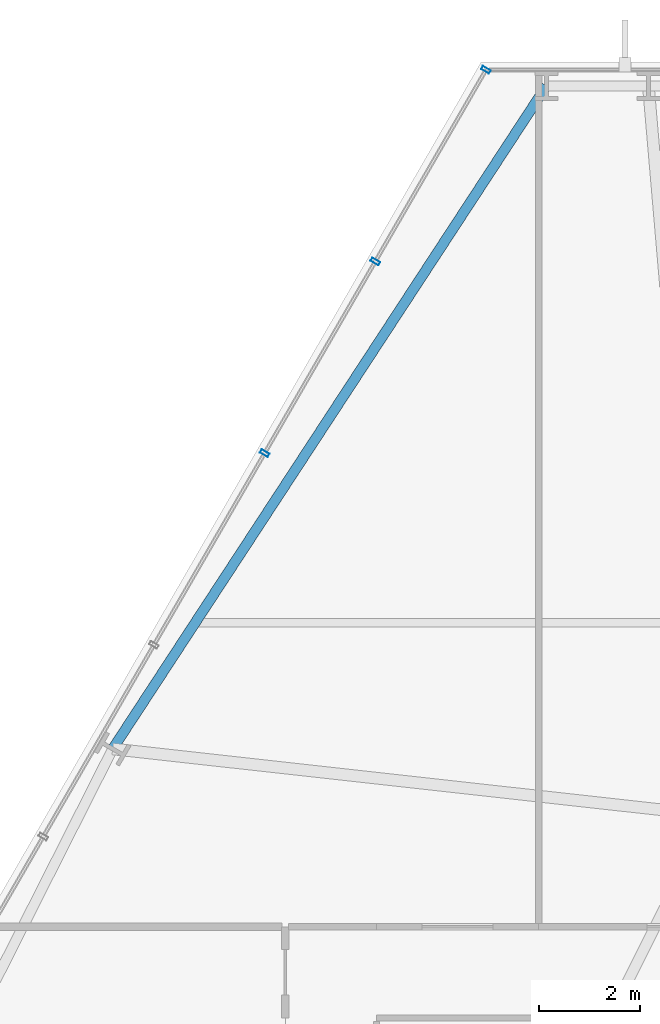
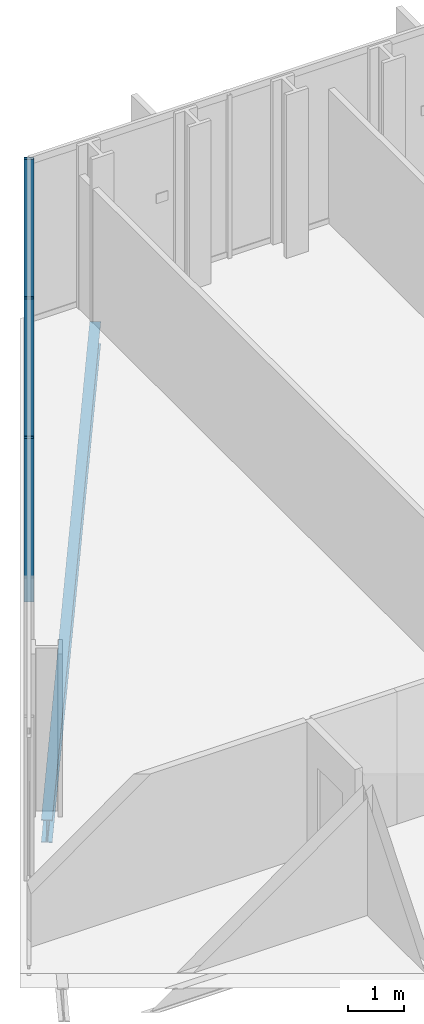
# One storey, part 20 of 33: 3 members, 1 beam, 1 element without a shape of its own.
"""IFC4 building model written with IfcOpenShell, lengths in metres."""

from ifc_helpers import new_model, si_unit, direction, frame, origin, origin_2d, place, context, subcontext, project, spatial, hollow_rectangle, i_section, extrude, material, layer, layer_set, material_profile, profile_set, type_object, element, aggregate, save


model = new_model("IFC4")

# Units and contexts
model_context = context("Model", 3, precision=1e-05, world=origin(), true_north=direction((0.0, 1.0)))
body_context = subcontext(model_context, "Body", "Model", "MODEL_VIEW")
ifc_project = project(units=[si_unit("LENGTHUNIT", "METRE"), si_unit("AREAUNIT", "SQUARE_METRE"), si_unit("VOLUMEUNIT", "CUBIC_METRE"), si_unit("PLANEANGLEUNIT", "RADIAN"), si_unit("MASSUNIT", "GRAM", prefix="KILO")], contexts=[model_context])

# Site, building, storey
site_placement = place(None, origin())
site = spatial("IfcSite", under=ifc_project, at=site_placement, CompositionType="ELEMENT")
building_placement = place(site_placement, origin())
building = spatial("IfcBuilding", under=site, at=building_placement, Name="Ndaravel Arena Tower", CompositionType="ELEMENT")
storey_placement = place(building_placement, frame((0.0, 0.0, 39.800048828125)))
storey = spatial("IfcBuildingStorey", under=building, at=storey_placement, Name="L07", CompositionType="ELEMENT", Elevation=39.800048828125)

# Beam
ifc_material_1 = material(Name="Steel S355", Category="steel")
ifc_material_profile_1 = material_profile(ifc_material_1, i_section(OverallWidth=0.199951171875, OverallDepth=0.5, WebThickness=0.01025390625, FlangeThickness=0.01611328125, FilletRadius=0.02099609375, at=origin_2d()), Name="IPE 500")
ifc_profile_set_1 = profile_set([ifc_material_profile_1], Name="Steel S355")
beam_type = type_object("IfcBeamType", Name="BM-SPAN-IPE500", PredefinedType="SPANDREL", material=ifc_profile_set_1)
beam_placement = place(storey_placement, frame((34.95263671875, 45.590087890625, -0.469970703125), z_axis=(-0.547517816718, -0.83679402506, 0.0), x_axis=(0.83679402506, -0.547517816718, 0.0)))
element("IfcBeam", 1, at=beam_placement, inside=storey, type_object=beam_type, Name="L07 Perimeter Spandrel Beam SP-18", PredefinedType="SPANDREL", context=body_context, shape_type="SweptSolid", body=[
    extrude(i_section(OverallWidth=0.199951171875, OverallDepth=0.5, WebThickness=0.01025390625, FlangeThickness=0.01611328125, FilletRadius=0.02099609375, at=origin_2d()), origin(), (0.0, 0.0, 1.0), 15.631103515625),
])

# Curtain wall, members
ifc_material_2 = material(Name="Aluminium", Category="aluminium")
ifc_layer = layer(ifc_material_2, 0.179931640625)
ifc_layer_set = layer_set([ifc_layer], Name="Aluminium")
curtain_wall_type = type_object("IfcCurtainWallType", Name="CW-SYS-03", PredefinedType="NOTDEFINED", material=ifc_layer_set)
curtain_wall_placement = place(storey_placement, origin())
curtain_wall = element("IfcCurtainWall", 2, at=curtain_wall_placement, inside=storey, type_object=curtain_wall_type, Name="L07 Faceted Crystal Curtain Wall CW-L07-E05", PredefinedType="NOTDEFINED")
ifc_material_3 = material(Name="Aluminium", Category="aluminium")
ifc_material_profile_2 = material_profile(ifc_material_3, hollow_rectangle(XDim=0.074951171875, YDim=0.179931640625, WallThickness=0.00390625, at=origin_2d()), Name="CW MULLION 75x180x4")
ifc_profile_set_2 = profile_set([ifc_material_profile_2], Name="Aluminium")
member_type = type_object("IfcMemberType", Name="MEM-CW-MUL180", PredefinedType="MULLION", material=ifc_profile_set_2)
member_1_placement = place(storey_placement, frame((33.76123046875, 45.909912109375, 0.0), z_axis=(0.0, 0.0, 1.0), x_axis=(-0.5, -0.866025403784, 0.0)))
member_1 = element("IfcMember", 3, at=member_1_placement, type_object=member_type, Name="CW-L07-E05 Mullion 00", PredefinedType="MULLION", context=body_context, shape_type="SweptSolid", body=[
    extrude(hollow_rectangle(XDim=0.074951171875, YDim=0.179931640625, WallThickness=0.00390625, at=origin_2d()), origin(), (0.0, 0.0, 1.0), 3.579833984375),
])
member_2_placement = place(storey_placement, frame((31.5771484375, 42.127197265625, 0.0), z_axis=(0.0, 0.0, 1.0), x_axis=(-0.5, -0.866025403784, 0.0)))
member_2 = element("IfcMember", 4, at=member_2_placement, type_object=member_type, Name="CW-L07-E05 Mullion 01", PredefinedType="MULLION", context=body_context, shape_type="SweptSolid", body=[
    extrude(hollow_rectangle(XDim=0.074951171875, YDim=0.179931640625, WallThickness=0.00390625, at=origin_2d()), origin(), (0.0, 0.0, 1.0), 3.579833984375),
])
member_3_placement = place(storey_placement, frame((29.39306640625, 38.34423828125, 0.0), z_axis=(0.0, 0.0, 1.0), x_axis=(-0.5, -0.866025403784, 0.0)))
member_3 = element("IfcMember", 5, at=member_3_placement, type_object=member_type, Name="CW-L07-E05 Mullion 02", PredefinedType="MULLION", context=body_context, shape_type="SweptSolid", body=[
    extrude(hollow_rectangle(XDim=0.074951171875, YDim=0.179931640625, WallThickness=0.00390625, at=origin_2d()), origin(), (0.0, 0.0, 1.0), 3.579833984375),
])
aggregate(curtain_wall, [member_1, member_2, member_3])

save(model, "model.ifc")
